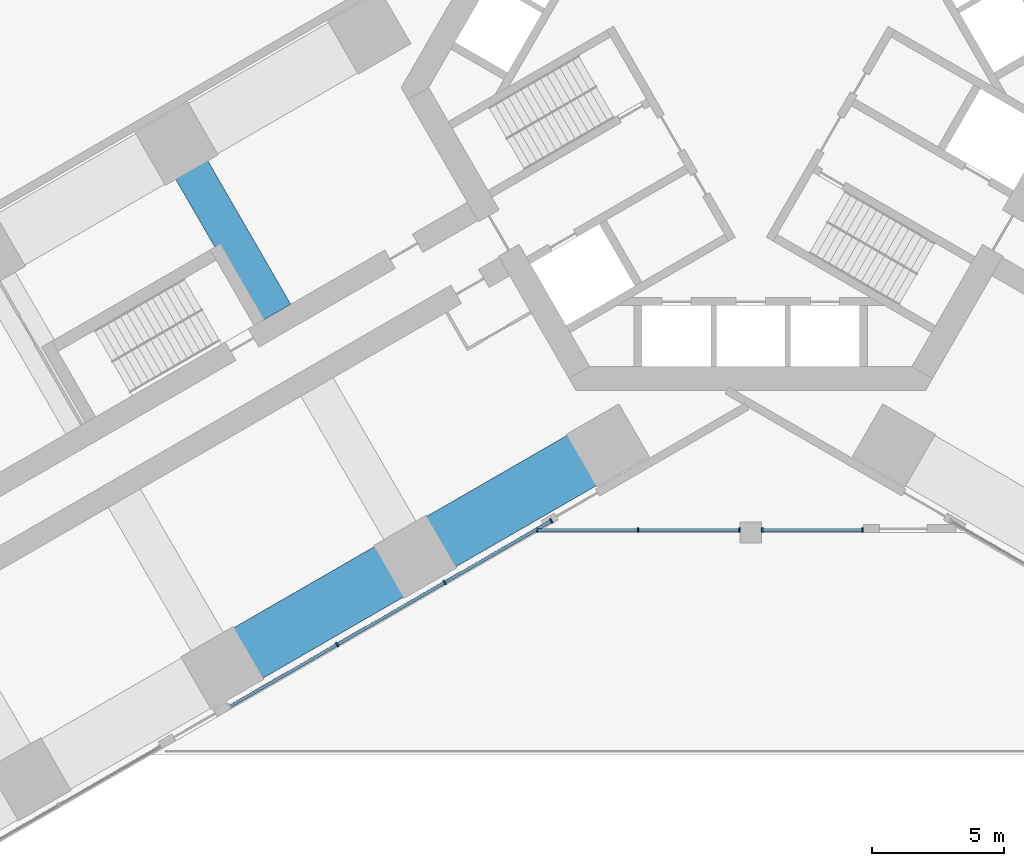
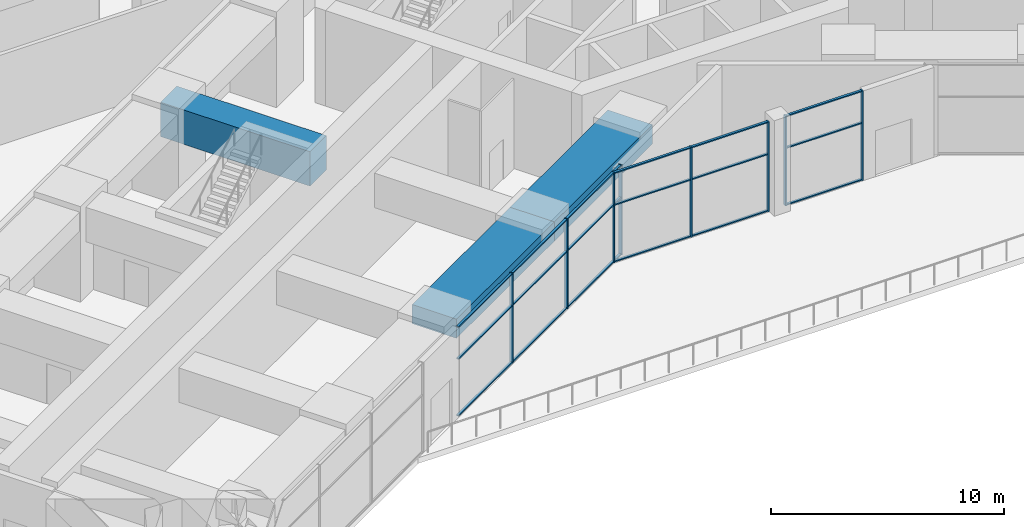
# One storey, part 4 of 34: 26 members, 3 beams, 3 elements without a shape of their own.
"""IFC4 building model written with IfcOpenShell, lengths in metres."""

import ifcopenshell
import ifcopenshell.guid

model = None  # the IFC model being written
_history = None  # IfcOwnerHistory: only IFC2X3 demands one
_inside = {}  # id of a spatial element -> (the spatial element, [elements in it])
_under = {}  # id of a project, library or spatial element -> (it, [spatial elements below it])
_declared = {}  # id of a project -> (the project, [libraries it declares])
_typed = {}  # id of a type object -> (the type object, [elements of that type])
_made_of = {}  # id of a material, layer set ... -> (it, [elements and type objects made of it])


def new_model(schema):
    """Start an empty IFC model of exactly this schema.

    Asked for "IFC4X3", IfcOpenShell would pick the latest addendum, in which some entities
    have other attributes; the version numbers below select the first issue.
    IFC2X3 requires an IfcOwnerHistory on every rooted entity: one is made here for all.
    """
    global model, _history
    if schema == "IFC4X3":
        model = ifcopenshell.file(schema_version=(4, 3, 0, 0))
    else:
        model = ifcopenshell.file(schema=schema)
    _inside.clear()
    _under.clear()
    _declared.clear()
    _typed.clear()
    _made_of.clear()
    _history = None
    if model.schema == "IFC2X3":
        org = make("IfcOrganization", Name="unknown")
        user = make(
            "IfcPersonAndOrganization",
            ThePerson=make("IfcPerson", FamilyName="unknown"),
            TheOrganization=org,
        )
        app = make(
            "IfcApplication",
            ApplicationDeveloper=org,
            Version="unknown",
            ApplicationFullName="unknown",
            ApplicationIdentifier="unknown",
        )
        _history = make(
            "IfcOwnerHistory",
            OwningUser=user,
            OwningApplication=app,
            ChangeAction="ADDED",
            CreationDate=0,
        )
    return model


def make(cls, **values):
    """One entity of the class cls with the attributes given. An attribute that is None is left unset."""
    return model.create_entity(
        cls, **{name: value for name, value in values.items() if value is not None}
    )


def rooted(cls, **values):
    """An entity with a GlobalId (a new one), such as an element, a storey or a relation."""
    return make(cls, GlobalId=ifcopenshell.guid.new(), OwnerHistory=_history, **values)


def si_unit(unit_type, name, prefix=None):
    """IfcSIUnit, for example si_unit("LENGTHUNIT", "METRE", prefix="MILLI")."""
    return make("IfcSIUnit", UnitType=unit_type, Prefix=prefix, Name=name)


def assignment(units):
    """IfcUnitAssignment: the units of a project."""
    return None if units is None else make("IfcUnitAssignment", Units=units)


def point(xyz):
    """IfcCartesianPoint."""
    return None if xyz is None else make("IfcCartesianPoint", Coordinates=xyz)


def direction(xyz):
    """IfcDirection."""
    return None if xyz is None else make("IfcDirection", DirectionRatios=xyz)


def frame(location, z_axis=None, x_axis=None):
    """IfcAxis2Placement3D, a coordinate frame: its origin and axes. An axis left out is left unset."""
    return make(
        "IfcAxis2Placement3D",
        Location=point(location),
        Axis=direction(z_axis),
        RefDirection=direction(x_axis),
    )


def frame_2d(location, x_axis=None):
    """IfcAxis2Placement2D, a coordinate frame in the plane: its origin and x axis."""
    return make(
        "IfcAxis2Placement2D", Location=point(location), RefDirection=direction(x_axis)
    )


def origin():
    """The frame at (0, 0, 0) with its axes left unset."""
    return frame((0.0, 0.0, 0.0))


def origin_2d():
    """The frame at (0, 0) in the plane with its x axis left unset."""
    return frame_2d((0.0, 0.0))


def place(relative_to, where):
    """IfcLocalPlacement: puts the frame where relative to a parent placement (None: the world)."""
    return make(
        "IfcLocalPlacement", PlacementRelTo=relative_to, RelativePlacement=where
    )


def context(
    kind, dimensions, precision=None, world=None, true_north=None, identifier=None
):
    """IfcGeometricRepresentationContext, for example the 3D "Model" context."""
    return make(
        "IfcGeometricRepresentationContext",
        ContextIdentifier=identifier,
        ContextType=kind,
        CoordinateSpaceDimension=dimensions,
        Precision=precision,
        WorldCoordinateSystem=world,
        TrueNorth=true_north,
    )


def subcontext(parent, identifier, kind, view, scale=None):
    """IfcGeometricRepresentationSubContext, for example "Body" below "Model"."""
    return make(
        "IfcGeometricRepresentationSubContext",
        ContextIdentifier=identifier,
        ContextType=kind,
        ParentContext=parent,
        TargetScale=scale,
        TargetView=view,
    )


def project(units=None, contexts=None):
    """IfcProject with its units and contexts."""
    return rooted(
        "IfcProject",
        Name="project",
        RepresentationContexts=contexts,
        UnitsInContext=assignment(units),
    )


def spatial(cls, under=None, at=None, **own):
    """A site, building, storey or space (cls), placed at a placement, below another one or the project."""
    s = rooted(cls, ObjectPlacement=at, **own)
    if under is not None:
        _under.setdefault(under.id(), (under, []))[1].append(s)
    return s


def profile(cls, at=None, kind="AREA", **sizes):
    """A parametric profile (cls). Its sizes go by their IFC names, for example OverallWidth=200.0."""
    return make(cls, ProfileType=kind, Position=at, **sizes)


def rectangle(**sizes):
    """IfcRectangleProfileDef."""
    return profile("IfcRectangleProfileDef", **sizes)


def extrude(swept, where, along, depth):
    """IfcExtrudedAreaSolid: the profile swept, set in the frame where, extruded along a direction by depth."""
    return make(
        "IfcExtrudedAreaSolid",
        SweptArea=swept,
        Position=where,
        ExtrudedDirection=direction(along),
        Depth=depth,
    )


def shape(context_of_items, identifier, shape_type, items):
    """IfcShapeRepresentation: the items that make up one representation, for example the "Body"."""
    return make(
        "IfcShapeRepresentation",
        ContextOfItems=context_of_items,
        RepresentationIdentifier=identifier,
        RepresentationType=shape_type,
        Items=items,
    )


def material(Name=None, Category=None):
    """IfcMaterial."""
    return make("IfcMaterial", Name=Name, Category=Category)


def material_profile(
    of_material, cross_section, Name=None, Category=None, Priority=None
):
    """IfcMaterialProfile: a cross section and its material."""
    return make(
        "IfcMaterialProfile",
        Name=Name,
        Material=of_material,
        Profile=cross_section,
        Priority=Priority,
        Category=Category,
    )


def profile_set(profiles, Name=None, composite=None):
    """IfcMaterialProfileSet."""
    return make(
        "IfcMaterialProfileSet",
        Name=Name,
        MaterialProfiles=profiles,
        CompositeProfile=composite,
    )


def made_of(thing, what):
    """Note that an element or type object is made of a material, layer set ...; save() writes the relation."""
    if what is not None:
        _made_of.setdefault(what.id(), (what, []))[1].append(thing)
    return thing


def type_object(cls, material=None, **own):
    """A type object (cls), such as IfcWallType, which elements share."""
    return made_of(rooted(cls, **own), material)


def element(
    cls,
    number,
    at=None,
    inside=None,
    cuts=None,
    type_object=None,
    material=None,
    context=None,
    identifier="Body",
    shape_type=None,
    held_by="IfcProductDefinitionShape",
    body=None,
    shapes=None,
    **own,
):
    """One element of the class cls, such as IfcWall. Its Tag is "e" and its number.

    at: its placement. inside: the storey or other place that contains it. cuts: it is an
    opening in that element (IfcRelVoidsElement). A single representation is given by context,
    identifier, shape_type and body (its items); several are given by shapes. held_by: the class
    of the entity that holds the representations. save() writes the other relations.
    """
    e = rooted(cls, Tag="e%d" % number, ObjectPlacement=at, **own)
    if body is not None:
        shapes = [shape(context, identifier, shape_type, body)]
    if shapes is not None:
        e.Representation = make(held_by, Representations=shapes)
    if inside is not None:
        _inside.setdefault(inside.id(), (inside, []))[1].append(e)
    if cuts is not None:
        rooted(
            "IfcRelVoidsElement", RelatingBuildingElement=cuts, RelatedOpeningElement=e
        )
    if type_object is not None:
        _typed.setdefault(type_object.id(), (type_object, []))[1].append(e)
    return made_of(e, material)


def aggregate(whole, parts):
    """IfcRelAggregates: a whole, such as a stair, and the parts it consists of."""
    return rooted("IfcRelAggregates", RelatingObject=whole, RelatedObjects=parts)


def save(model, path):
    """Write the relations noted so far, then the file.

    IfcRelAggregates (storeys below a building ...), IfcRelContainedInSpatialStructure (elements
    in a storey), IfcRelDefinesByType, IfcRelAssociatesMaterial and IfcRelDeclares: one each for
    every whole, place, type object, material and project.
    """
    for whole, parts in _under.values():
        aggregate(whole, parts)
    for where, things in _inside.values():
        rooted(
            "IfcRelContainedInSpatialStructure",
            RelatedElements=things,
            RelatingStructure=where,
        )
    for kind, things in _typed.values():
        rooted("IfcRelDefinesByType", RelatedObjects=things, RelatingType=kind)
    for what, things in _made_of.values():
        rooted("IfcRelAssociatesMaterial", RelatedObjects=things, RelatingMaterial=what)
    for by, libraries in _declared.values():
        rooted("IfcRelDeclares", RelatingContext=by, RelatedDefinitions=libraries)
    model.write(path)


model = new_model("IFC4")

# Units and contexts
model_context = context("Model", 3, precision=1e-05, world=origin(), true_north=direction((0.0, 1.0)))
body_context = subcontext(model_context, "Body", "Model", "MODEL_VIEW")
ifc_project = project(units=[si_unit("LENGTHUNIT", "METRE"), si_unit("AREAUNIT", "SQUARE_METRE"), si_unit("VOLUMEUNIT", "CUBIC_METRE"), si_unit("PLANEANGLEUNIT", "RADIAN"), si_unit("MASSUNIT", "GRAM", prefix="KILO")], contexts=[model_context])

# Site, building, storey
site_placement = place(None, origin())
site = spatial("IfcSite", under=ifc_project, at=site_placement, CompositionType="ELEMENT")
building_placement = place(site_placement, origin())
building = spatial("IfcBuilding", under=site, at=building_placement, Name="Impinga Residences", CompositionType="ELEMENT")
storey_placement = place(building_placement, frame((0.0, 0.0, 16.0)))
storey = spatial("IfcBuildingStorey", under=building, at=storey_placement, Name="L03", CompositionType="ELEMENT", Elevation=16.0)

# Beam
ifc_material_1 = material(Name="Concrete C60/75", Category="concrete")
ifc_material_profile_1 = material_profile(ifc_material_1, rectangle(XDim=1.39990234375, YDim=1.800048828125, at=origin_2d()), Name="RC 1400x1800")
ifc_profile_set_1 = profile_set([ifc_material_profile_1], Name="Concrete C60/75")
beam_type_1 = type_object("IfcBeamType", Name="CG4 1400x1800 cross girder on a wing bay line under the podium floors", PredefinedType="BEAM", material=ifc_profile_set_1)
beam_placement = place(storey_placement, frame((-17.974609375, -8.530029296875, 3.800048828125), z_axis=(-0.500003285667, 0.866023506795, 0.0), x_axis=(-0.866023506795, -0.500003285667, 0.0)))
element("IfcBeam", 1, at=beam_placement, inside=storey, type_object=beam_type_1, Name="Beam CG4 W2 WC/WF level L04", PredefinedType="BEAM", context=body_context, shape_type="SweptSolid", body=[
    extrude(rectangle(XDim=1.39990234375, YDim=1.800048828125, at=origin_2d()), origin(), (0.0, 0.0, 1.0), 7.39990234375),
])

# Curtain wall, members
ifc_material_2 = material(Name="Aluminium stick curtain wall", Category="aluminium")
curtain_wall_type = type_object("IfcCurtainWallType", Name="CW1 podium amenity curtain wall", PredefinedType="USERDEFINED", material=ifc_material_2)
curtain_wall_1_placement = place(storey_placement, origin())
curtain_wall_1 = element("IfcCurtainWall", 2, at=curtain_wall_1_placement, inside=storey, type_object=curtain_wall_type, Name="Curtain wall CW1 L03", ObjectType="STICK CURTAIN WALL", PredefinedType="USERDEFINED")
ifc_material_3 = material(Name="Aluminium mullion", Category="aluminium")
ifc_material_profile_2 = material_profile(ifc_material_3, rectangle(XDim=0.06005859375, YDim=0.179931640625, at=origin_2d()), Name="60x180 mullion")
ifc_profile_set_2 = profile_set([ifc_material_profile_2], Name="Aluminium mullion")
member_type_1 = type_object("IfcMemberType", Name="CW1-M mullion 60x180", PredefinedType="MULLION", material=ifc_profile_set_2)
member_1_placement = place(storey_placement, frame((4.221435546875, -16.699951171875, 0.0), z_axis=(0.0, 0.0, 1.0), x_axis=(-1.0, 0.0, 0.0)))
member_1 = element("IfcMember", 3, at=member_1_placement, type_object=member_type_1, Name="CW1 mullion 1", PredefinedType="MULLION", context=body_context, shape_type="SweptSolid", body=[
    extrude(rectangle(XDim=0.06005859375, YDim=0.179931640625, at=origin_2d()), origin(), (0.0, 0.0, 1.0), 4.699951171875),
])
member_2_placement = place(storey_placement, frame((0.43310546875, -16.699951171875, 0.0), z_axis=(0.0, 0.0, 1.0), x_axis=(-1.0, 0.0, 0.0)))
member_2 = element("IfcMember", 4, at=member_2_placement, type_object=member_type_1, Name="CW1 mullion 2", PredefinedType="MULLION", context=body_context, shape_type="SweptSolid", body=[
    extrude(rectangle(XDim=0.06005859375, YDim=0.179931640625, at=origin_2d()), origin(), (0.0, 0.0, 1.0), 4.699951171875),
])

curtain_wall_2_placement = place(storey_placement, origin())
curtain_wall_2 = element("IfcCurtainWall", 5, at=curtain_wall_2_placement, inside=storey, type_object=curtain_wall_type, Name="Curtain wall CW1 L03", ObjectType="STICK CURTAIN WALL", PredefinedType="USERDEFINED")
member_3_placement = place(storey_placement, frame((-0.43310546875, -16.699951171875, 0.0), z_axis=(0.0, 0.0, 1.0), x_axis=(-1.0, 0.0, 0.0)))
member_3 = element("IfcMember", 6, at=member_3_placement, type_object=member_type_1, Name="CW1 mullion 1", PredefinedType="MULLION", context=body_context, shape_type="SweptSolid", body=[
    extrude(rectangle(XDim=0.06005859375, YDim=0.179931640625, at=origin_2d()), origin(), (0.0, 0.0, 1.0), 4.699951171875),
])
member_4_placement = place(storey_placement, frame((-4.250732421875, -16.699951171875, 0.0), z_axis=(0.0, 0.0, 1.0), x_axis=(-1.0, 0.0, 0.0)))
member_4 = element("IfcMember", 7, at=member_4_placement, type_object=member_type_1, Name="CW1 mullion 2", PredefinedType="MULLION", context=body_context, shape_type="SweptSolid", body=[
    extrude(rectangle(XDim=0.06005859375, YDim=0.179931640625, at=origin_2d()), origin(), (0.0, 0.0, 1.0), 4.699951171875),
])
member_5_placement = place(storey_placement, frame((-8.068359375, -16.699951171875, 0.0), z_axis=(0.0, 0.0, 1.0), x_axis=(-1.0, 0.0, 0.0)))
member_5 = element("IfcMember", 8, at=member_5_placement, type_object=member_type_1, Name="CW1 mullion 3", PredefinedType="MULLION", context=body_context, shape_type="SweptSolid", body=[
    extrude(rectangle(XDim=0.06005859375, YDim=0.179931640625, at=origin_2d()), origin(), (0.0, 0.0, 1.0), 4.699951171875),
])

curtain_wall_3_placement = place(storey_placement, origin())
curtain_wall_3 = element("IfcCurtainWall", 9, at=curtain_wall_3_placement, inside=storey, type_object=curtain_wall_type, Name="Curtain wall CW1 L03", ObjectType="STICK CURTAIN WALL", PredefinedType="USERDEFINED")
member_6_placement = place(storey_placement, frame((-7.528076171875, -16.355224609375, 0.0), z_axis=(0.0, 0.0, 1.0), x_axis=(-0.866025380702, -0.500000039979, 0.0)))
member_6 = element("IfcMember", 10, at=member_6_placement, type_object=member_type_1, Name="CW1 mullion 1", PredefinedType="MULLION", context=body_context, shape_type="SweptSolid", body=[
    extrude(rectangle(XDim=0.06005859375, YDim=0.179931640625, at=origin_2d()), origin(), (0.0, 0.0, 1.0), 4.699951171875),
])
member_7_placement = place(storey_placement, frame((-11.5595703125, -18.682861328125, 0.0), z_axis=(0.0, 0.0, 1.0), x_axis=(-0.866025380702, -0.500000039979, 0.0)))
member_7 = element("IfcMember", 11, at=member_7_placement, type_object=member_type_1, Name="CW1 mullion 2", PredefinedType="MULLION", context=body_context, shape_type="SweptSolid", body=[
    extrude(rectangle(XDim=0.06005859375, YDim=0.179931640625, at=origin_2d()), origin(), (0.0, 0.0, 1.0), 4.699951171875),
])
member_8_placement = place(storey_placement, frame((-15.616943359375, -21.025390625, 0.0), z_axis=(0.0, 0.0, 1.0), x_axis=(-0.866025380702, -0.500000039979, 0.0)))
member_8 = element("IfcMember", 12, at=member_8_placement, type_object=member_type_1, Name="CW1 mullion 3", PredefinedType="MULLION", context=body_context, shape_type="SweptSolid", body=[
    extrude(rectangle(XDim=0.06005859375, YDim=0.179931640625, at=origin_2d()), origin(), (0.0, 0.0, 1.0), 4.699951171875),
])

# Member
ifc_material_4 = material(Name="Aluminium transom", Category="aluminium")
ifc_material_profile_3 = material_profile(ifc_material_4, rectangle(XDim=0.06005859375, YDim=0.1201171875, at=origin_2d()), Name="60x120 transom")
ifc_profile_set_3 = profile_set([ifc_material_profile_3], Name="Aluminium transom")
member_type_2 = type_object("IfcMemberType", Name="CW1-T transom 60x120", PredefinedType="USERDEFINED", material=ifc_profile_set_3)
member_9_placement = place(storey_placement, frame((4.19140625, -16.699951171875, 0.030029296875), z_axis=(-1.0, 0.0, 0.0), x_axis=(0.0, 0.0, 1.0)))
member_9 = element("IfcMember", 13, at=member_9_placement, type_object=member_type_2, Name="CW1 transom 1.1", ObjectType="TRANSOM", PredefinedType="USERDEFINED", context=body_context, shape_type="SweptSolid", body=[
    extrude(rectangle(XDim=0.06005859375, YDim=0.1201171875, at=origin_2d()), origin(), (0.0, 0.0, 1.0), 3.728515625),
])

member_10_placement = place(storey_placement, frame((4.19140625, -16.699951171875, 3.0), z_axis=(-1.0, 0.0, 0.0), x_axis=(0.0, 0.0, 1.0)))
member_10 = element("IfcMember", 14, at=member_10_placement, type_object=member_type_2, Name="CW1 transom 1.2", ObjectType="TRANSOM", PredefinedType="USERDEFINED", context=body_context, shape_type="SweptSolid", body=[
    extrude(rectangle(XDim=0.06005859375, YDim=0.1201171875, at=origin_2d()), origin(), (0.0, 0.0, 1.0), 3.728515625),
])

member_11_placement = place(storey_placement, frame((4.19140625, -16.699951171875, 4.669921875), z_axis=(-1.0, 0.0, 0.0), x_axis=(0.0, 0.0, 1.0)))
member_11 = element("IfcMember", 15, at=member_11_placement, type_object=member_type_2, Name="CW1 transom 1.3", ObjectType="TRANSOM", PredefinedType="USERDEFINED", context=body_context, shape_type="SweptSolid", body=[
    extrude(rectangle(XDim=0.06005859375, YDim=0.1201171875, at=origin_2d()), origin(), (0.0, 0.0, 1.0), 3.728515625),
])

aggregate(curtain_wall_1, [member_1, member_2, member_9, member_10, member_11])

member_12_placement = place(storey_placement, frame((-0.462890625, -16.699951171875, 0.030029296875), z_axis=(-1.0, 0.0, 0.0), x_axis=(0.0, 0.0, 1.0)))
member_12 = element("IfcMember", 16, at=member_12_placement, type_object=member_type_2, Name="CW1 transom 1.1", ObjectType="TRANSOM", PredefinedType="USERDEFINED", context=body_context, shape_type="SweptSolid", body=[
    extrude(rectangle(XDim=0.06005859375, YDim=0.1201171875, at=origin_2d()), origin(), (0.0, 0.0, 1.0), 3.7578125),
])

member_13_placement = place(storey_placement, frame((-0.462890625, -16.699951171875, 3.0), z_axis=(-1.0, 0.0, 0.0), x_axis=(0.0, 0.0, 1.0)))
member_13 = element("IfcMember", 17, at=member_13_placement, type_object=member_type_2, Name="CW1 transom 1.2", ObjectType="TRANSOM", PredefinedType="USERDEFINED", context=body_context, shape_type="SweptSolid", body=[
    extrude(rectangle(XDim=0.06005859375, YDim=0.1201171875, at=origin_2d()), origin(), (0.0, 0.0, 1.0), 3.7578125),
])

member_14_placement = place(storey_placement, frame((-0.462890625, -16.699951171875, 4.669921875), z_axis=(-1.0, 0.0, 0.0), x_axis=(0.0, 0.0, 1.0)))
member_14 = element("IfcMember", 18, at=member_14_placement, type_object=member_type_2, Name="CW1 transom 1.3", ObjectType="TRANSOM", PredefinedType="USERDEFINED", context=body_context, shape_type="SweptSolid", body=[
    extrude(rectangle(XDim=0.06005859375, YDim=0.1201171875, at=origin_2d()), origin(), (0.0, 0.0, 1.0), 3.7578125),
])

member_15_placement = place(storey_placement, frame((-4.28076171875, -16.699951171875, 0.030029296875), z_axis=(-1.0, 0.0, 0.0), x_axis=(0.0, 0.0, 1.0)))
member_15 = element("IfcMember", 19, at=member_15_placement, type_object=member_type_2, Name="CW1 transom 2.1", ObjectType="TRANSOM", PredefinedType="USERDEFINED", context=body_context, shape_type="SweptSolid", body=[
    extrude(rectangle(XDim=0.06005859375, YDim=0.1201171875, at=origin_2d()), origin(), (0.0, 0.0, 1.0), 3.7578125),
])

member_16_placement = place(storey_placement, frame((-4.28076171875, -16.699951171875, 3.0), z_axis=(-1.0, 0.0, 0.0), x_axis=(0.0, 0.0, 1.0)))
member_16 = element("IfcMember", 20, at=member_16_placement, type_object=member_type_2, Name="CW1 transom 2.2", ObjectType="TRANSOM", PredefinedType="USERDEFINED", context=body_context, shape_type="SweptSolid", body=[
    extrude(rectangle(XDim=0.06005859375, YDim=0.1201171875, at=origin_2d()), origin(), (0.0, 0.0, 1.0), 3.7578125),
])

member_17_placement = place(storey_placement, frame((-4.28076171875, -16.699951171875, 4.669921875), z_axis=(-1.0, 0.0, 0.0), x_axis=(0.0, 0.0, 1.0)))
member_17 = element("IfcMember", 21, at=member_17_placement, type_object=member_type_2, Name="CW1 transom 2.3", ObjectType="TRANSOM", PredefinedType="USERDEFINED", context=body_context, shape_type="SweptSolid", body=[
    extrude(rectangle(XDim=0.06005859375, YDim=0.1201171875, at=origin_2d()), origin(), (0.0, 0.0, 1.0), 3.7578125),
])

aggregate(curtain_wall_2, [member_3, member_4, member_5, member_12, member_13, member_14, member_15, member_16, member_17])

member_18_placement = place(storey_placement, frame((-7.553955078125, -16.3701171875, 0.030029296875), z_axis=(-0.866021018523, -0.500007595418, 0.0), x_axis=(0.0, 0.0, 1.0)))
member_18 = element("IfcMember", 22, at=member_18_placement, type_object=member_type_2, Name="CW1 transom 1.1", ObjectType="TRANSOM", PredefinedType="USERDEFINED", context=body_context, shape_type="SweptSolid", body=[
    extrude(rectangle(XDim=0.06005859375, YDim=0.1201171875, at=origin_2d()), origin(), (0.0, 0.0, 1.0), 4.59521484375),
])

member_19_placement = place(storey_placement, frame((-7.553955078125, -16.3701171875, 3.0), z_axis=(-0.866021018523, -0.500007595418, 0.0), x_axis=(0.0, 0.0, 1.0)))
member_19 = element("IfcMember", 23, at=member_19_placement, type_object=member_type_2, Name="CW1 transom 1.2", ObjectType="TRANSOM", PredefinedType="USERDEFINED", context=body_context, shape_type="SweptSolid", body=[
    extrude(rectangle(XDim=0.06005859375, YDim=0.1201171875, at=origin_2d()), origin(), (0.0, 0.0, 1.0), 4.59521484375),
])

member_20_placement = place(storey_placement, frame((-7.553955078125, -16.3701171875, 4.669921875), z_axis=(-0.866021018523, -0.500007595418, 0.0), x_axis=(0.0, 0.0, 1.0)))
member_20 = element("IfcMember", 24, at=member_20_placement, type_object=member_type_2, Name="CW1 transom 1.3", ObjectType="TRANSOM", PredefinedType="USERDEFINED", context=body_context, shape_type="SweptSolid", body=[
    extrude(rectangle(XDim=0.06005859375, YDim=0.1201171875, at=origin_2d()), origin(), (0.0, 0.0, 1.0), 4.59521484375),
])

member_21_placement = place(storey_placement, frame((-11.58544921875, -18.69775390625, 0.030029296875), z_axis=(-0.866038794305, -0.49997680622, 0.0), x_axis=(0.0, 0.0, 1.0)))
member_21 = element("IfcMember", 25, at=member_21_placement, type_object=member_type_2, Name="CW1 transom 2.1", ObjectType="TRANSOM", PredefinedType="USERDEFINED", context=body_context, shape_type="SweptSolid", body=[
    extrude(rectangle(XDim=0.06005859375, YDim=0.1201171875, at=origin_2d()), origin(), (0.0, 0.0, 1.0), 4.625244140625),
])

member_22_placement = place(storey_placement, frame((-11.58544921875, -18.69775390625, 3.0), z_axis=(-0.866038794305, -0.49997680622, 0.0), x_axis=(0.0, 0.0, 1.0)))
member_22 = element("IfcMember", 26, at=member_22_placement, type_object=member_type_2, Name="CW1 transom 2.2", ObjectType="TRANSOM", PredefinedType="USERDEFINED", context=body_context, shape_type="SweptSolid", body=[
    extrude(rectangle(XDim=0.06005859375, YDim=0.1201171875, at=origin_2d()), origin(), (0.0, 0.0, 1.0), 4.625244140625),
])

member_23_placement = place(storey_placement, frame((-11.58544921875, -18.69775390625, 4.669921875), z_axis=(-0.866038794305, -0.49997680622, 0.0), x_axis=(0.0, 0.0, 1.0)))
member_23 = element("IfcMember", 27, at=member_23_placement, type_object=member_type_2, Name="CW1 transom 2.3", ObjectType="TRANSOM", PredefinedType="USERDEFINED", context=body_context, shape_type="SweptSolid", body=[
    extrude(rectangle(XDim=0.06005859375, YDim=0.1201171875, at=origin_2d()), origin(), (0.0, 0.0, 1.0), 4.625244140625),
])

member_24_placement = place(storey_placement, frame((-15.642822265625, -21.040283203125, 0.030029296875), z_axis=(-0.866034300541, -0.499984590049, 0.0), x_axis=(0.0, 0.0, 1.0)))
member_24 = element("IfcMember", 28, at=member_24_placement, type_object=member_type_2, Name="CW1 transom 3.1", ObjectType="TRANSOM", PredefinedType="USERDEFINED", context=body_context, shape_type="SweptSolid", body=[
    extrude(rectangle(XDim=0.06005859375, YDim=0.1201171875, at=origin_2d()), origin(), (0.0, 0.0, 1.0), 4.595458984375),
])

member_25_placement = place(storey_placement, frame((-15.642822265625, -21.040283203125, 3.0), z_axis=(-0.866034300541, -0.499984590049, 0.0), x_axis=(0.0, 0.0, 1.0)))
member_25 = element("IfcMember", 29, at=member_25_placement, type_object=member_type_2, Name="CW1 transom 3.2", ObjectType="TRANSOM", PredefinedType="USERDEFINED", context=body_context, shape_type="SweptSolid", body=[
    extrude(rectangle(XDim=0.06005859375, YDim=0.1201171875, at=origin_2d()), origin(), (0.0, 0.0, 1.0), 4.595458984375),
])

member_26_placement = place(storey_placement, frame((-15.642822265625, -21.040283203125, 4.669921875), z_axis=(-0.866034300541, -0.499984590049, 0.0), x_axis=(0.0, 0.0, 1.0)))
member_26 = element("IfcMember", 30, at=member_26_placement, type_object=member_type_2, Name="CW1 transom 3.3", ObjectType="TRANSOM", PredefinedType="USERDEFINED", context=body_context, shape_type="SweptSolid", body=[
    extrude(rectangle(XDim=0.06005859375, YDim=0.1201171875, at=origin_2d()), origin(), (0.0, 0.0, 1.0), 4.595458984375),
])

aggregate(curtain_wall_3, [member_6, member_7, member_8, member_18, member_19, member_20, member_21, member_22, member_23, member_24, member_25, member_26])

# Beams
ifc_material_profile_4 = material_profile(ifc_material_1, rectangle(XDim=2.199951171875, YDim=1.0, at=origin_2d()), Name="RC 2200x1000")
ifc_profile_set_4 = profile_set([ifc_material_profile_4], Name="Concrete C60/75")
beam_type_2 = type_object("IfcBeamType", Name="PB3 2200x1000 podium band beam", PredefinedType="BEAM", material=ifc_profile_set_4)
for number, where, z_axis, x_axis, name in (
    (31, (-5.39990234375, -13.510009765625, 4.199951171875), (-0.86602925447, -0.499993330357, 0.0), (0.499993330357, -0.86602925447, 0.0), "Beam PB3 WA W1-W2 level L04"),
    (32, (-12.674560546875, -17.7099609375, 4.199951171875), (-0.86602925447, -0.499993330357, 0.0), (0.499993330357, -0.86602925447, 0.0), "Beam PB3 WA W2-W3 level L04"),
):
    element("IfcBeam", number, at=place(storey_placement, frame(where, z_axis=z_axis, x_axis=x_axis)), inside=storey, type_object=beam_type_2, Name=name, PredefinedType="BEAM", context=body_context, shape_type="SweptSolid", body=[
        extrude(rectangle(XDim=2.199951171875, YDim=1.0, at=origin_2d()), origin(), (0.0, 0.0, 1.0), 8.39990234375),
    ])

save(model, "model.ifc")
